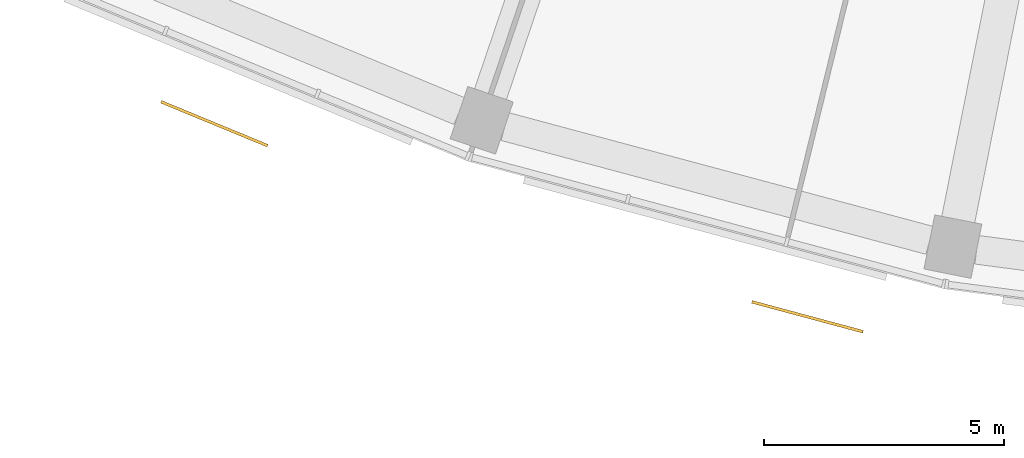
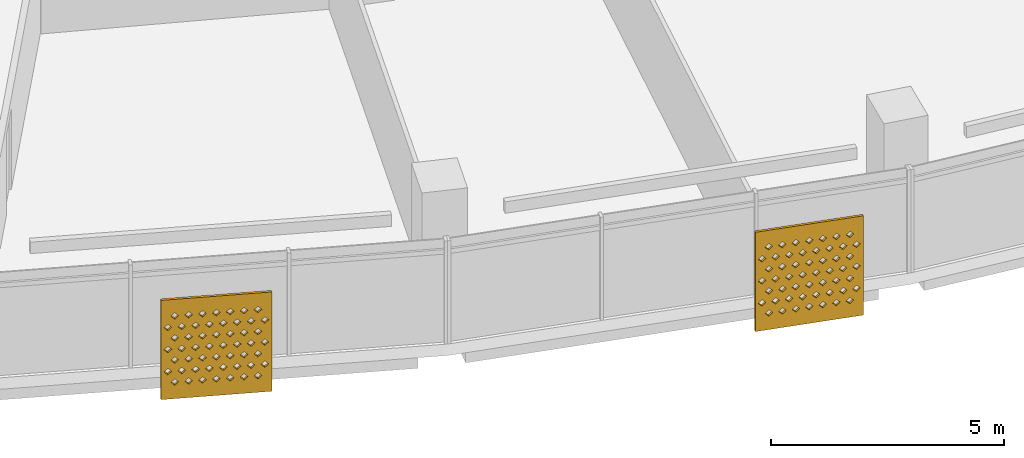
# One storey, part 24 of 28: 2 shading devices.
"""IFC4 building model written with IfcOpenShell, lengths in metres."""

from ifc_helpers import new_model, si_unit, direction, frame, origin, place, context, subcontext, project, spatial, polyline, outline, extrude, material, material_profile, profile_set, type_object, element, save


model = new_model("IFC4")

# Units and contexts
model_context = context("Model", 3, precision=1e-05, world=origin(), true_north=direction((0.0, 1.0)))
body_context = subcontext(model_context, "Body", "Model", "MODEL_VIEW")
ifc_project = project(units=[si_unit("LENGTHUNIT", "METRE"), si_unit("AREAUNIT", "SQUARE_METRE"), si_unit("VOLUMEUNIT", "CUBIC_METRE"), si_unit("PLANEANGLEUNIT", "RADIAN"), si_unit("MASSUNIT", "GRAM", prefix="KILO")], contexts=[model_context])

# Site, building, storey
site_placement = place(None, origin())
site = spatial("IfcSite", under=ifc_project, at=site_placement, CompositionType="ELEMENT")
building_placement = place(site_placement, origin())
building = spatial("IfcBuilding", under=site, at=building_placement, Name="Qamariyya Broadcast Tower", CompositionType="ELEMENT")
storey_placement = place(building_placement, frame((0.0, 0.0, 245.5)))
storey = spatial("IfcBuildingStorey", under=building, at=storey_placement, Name="L59", CompositionType="ELEMENT", Elevation=245.5)

# Shading devices
ifc_material = material(Name="Perforated glazed terracotta", Category="masonry")
ifc_material_profile = material_profile(ifc_material, outline(polyline([(-1.199951171875, -1.300048828125), (1.199951171875, -1.300048828125), (1.199951171875, 1.300048828125), (-1.199951171875, 1.300048828125), (-1.199951171875, -1.300048828125)]), holes=[polyline([(-0.81494140625, -0.86669921875), (-0.89990234375, -0.78173828125), (-0.985107421875, -0.86669921875), (-0.89990234375, -0.95166015625), (-0.81494140625, -0.86669921875)]), polyline([(-0.514892578125, -0.86669921875), (-0.60009765625, -0.78173828125), (-0.68505859375, -0.86669921875), (-0.60009765625, -0.95166015625), (-0.514892578125, -0.86669921875)]), polyline([(-0.215087890625, -0.86669921875), (-0.300048828125, -0.78173828125), (-0.385009765625, -0.86669921875), (-0.300048828125, -0.95166015625), (-0.215087890625, -0.86669921875)]), polyline([(0.0849609375, -0.86669921875), (0.0, -0.78173828125), (-0.0849609375, -0.86669921875), (0.0, -0.95166015625), (0.0849609375, -0.86669921875)]), polyline([(0.385009765625, -0.86669921875), (0.300048828125, -0.78173828125), (0.215087890625, -0.86669921875), (0.300048828125, -0.95166015625), (0.385009765625, -0.86669921875)]), polyline([(0.68505859375, -0.86669921875), (0.60009765625, -0.78173828125), (0.514892578125, -0.86669921875), (0.60009765625, -0.95166015625), (0.68505859375, -0.86669921875)]), polyline([(0.985107421875, -0.86669921875), (0.89990234375, -0.78173828125), (0.81494140625, -0.86669921875), (0.89990234375, -0.95166015625), (0.985107421875, -0.86669921875)]), polyline([(-0.965087890625, -0.577880859375), (-1.050048828125, -0.49267578125), (-1.135009765625, -0.577880859375), (-1.050048828125, -0.662841796875), (-0.965087890625, -0.577880859375)]), polyline([(-0.6650390625, -0.577880859375), (-0.75, -0.49267578125), (-0.8349609375, -0.577880859375), (-0.75, -0.662841796875), (-0.6650390625, -0.577880859375)]), polyline([(-0.364990234375, -0.577880859375), (-0.449951171875, -0.49267578125), (-0.534912109375, -0.577880859375), (-0.449951171875, -0.662841796875), (-0.364990234375, -0.577880859375)]), polyline([(-0.06494140625, -0.577880859375), (-0.14990234375, -0.49267578125), (-0.235107421875, -0.577880859375), (-0.14990234375, -0.662841796875), (-0.06494140625, -0.577880859375)]), polyline([(0.235107421875, -0.577880859375), (0.14990234375, -0.49267578125), (0.06494140625, -0.577880859375), (0.14990234375, -0.662841796875), (0.235107421875, -0.577880859375)]), polyline([(0.534912109375, -0.577880859375), (0.449951171875, -0.49267578125), (0.364990234375, -0.577880859375), (0.449951171875, -0.662841796875), (0.534912109375, -0.577880859375)]), polyline([(0.8349609375, -0.577880859375), (0.75, -0.49267578125), (0.6650390625, -0.577880859375), (0.75, -0.662841796875), (0.8349609375, -0.577880859375)]), polyline([(1.135009765625, -0.577880859375), (1.050048828125, -0.49267578125), (0.965087890625, -0.577880859375), (1.050048828125, -0.662841796875), (1.135009765625, -0.577880859375)]), polyline([(-0.81494140625, -0.288818359375), (-0.89990234375, -0.203857421875), (-0.985107421875, -0.288818359375), (-0.89990234375, -0.373779296875), (-0.81494140625, -0.288818359375)]), polyline([(-0.514892578125, -0.288818359375), (-0.60009765625, -0.203857421875), (-0.68505859375, -0.288818359375), (-0.60009765625, -0.373779296875), (-0.514892578125, -0.288818359375)]), polyline([(-0.215087890625, -0.288818359375), (-0.300048828125, -0.203857421875), (-0.385009765625, -0.288818359375), (-0.300048828125, -0.373779296875), (-0.215087890625, -0.288818359375)]), polyline([(0.0849609375, -0.288818359375), (0.0, -0.203857421875), (-0.0849609375, -0.288818359375), (0.0, -0.373779296875), (0.0849609375, -0.288818359375)]), polyline([(0.385009765625, -0.288818359375), (0.300048828125, -0.203857421875), (0.215087890625, -0.288818359375), (0.300048828125, -0.373779296875), (0.385009765625, -0.288818359375)]), polyline([(0.68505859375, -0.288818359375), (0.60009765625, -0.203857421875), (0.514892578125, -0.288818359375), (0.60009765625, -0.373779296875), (0.68505859375, -0.288818359375)]), polyline([(0.985107421875, -0.288818359375), (0.89990234375, -0.203857421875), (0.81494140625, -0.288818359375), (0.89990234375, -0.373779296875), (0.985107421875, -0.288818359375)]), polyline([(-0.965087890625, 0.0), (-1.050048828125, 0.0849609375), (-1.135009765625, 0.0), (-1.050048828125, -0.0849609375), (-0.965087890625, 0.0)]), polyline([(-0.6650390625, 0.0), (-0.75, 0.0849609375), (-0.8349609375, 0.0), (-0.75, -0.0849609375), (-0.6650390625, 0.0)]), polyline([(-0.364990234375, 0.0), (-0.449951171875, 0.0849609375), (-0.534912109375, 0.0), (-0.449951171875, -0.0849609375), (-0.364990234375, 0.0)]), polyline([(-0.06494140625, 0.0), (-0.14990234375, 0.0849609375), (-0.235107421875, 0.0), (-0.14990234375, -0.0849609375), (-0.06494140625, 0.0)]), polyline([(0.235107421875, 0.0), (0.14990234375, 0.0849609375), (0.06494140625, 0.0), (0.14990234375, -0.0849609375), (0.235107421875, 0.0)]), polyline([(0.534912109375, 0.0), (0.449951171875, 0.0849609375), (0.364990234375, 0.0), (0.449951171875, -0.0849609375), (0.534912109375, 0.0)]), polyline([(0.8349609375, 0.0), (0.75, 0.0849609375), (0.6650390625, 0.0), (0.75, -0.0849609375), (0.8349609375, 0.0)]), polyline([(1.135009765625, 0.0), (1.050048828125, 0.0849609375), (0.965087890625, 0.0), (1.050048828125, -0.0849609375), (1.135009765625, 0.0)]), polyline([(-0.81494140625, 0.288818359375), (-0.89990234375, 0.373779296875), (-0.985107421875, 0.288818359375), (-0.89990234375, 0.203857421875), (-0.81494140625, 0.288818359375)]), polyline([(-0.514892578125, 0.288818359375), (-0.60009765625, 0.373779296875), (-0.68505859375, 0.288818359375), (-0.60009765625, 0.203857421875), (-0.514892578125, 0.288818359375)]), polyline([(-0.215087890625, 0.288818359375), (-0.300048828125, 0.373779296875), (-0.385009765625, 0.288818359375), (-0.300048828125, 0.203857421875), (-0.215087890625, 0.288818359375)]), polyline([(0.0849609375, 0.288818359375), (0.0, 0.373779296875), (-0.0849609375, 0.288818359375), (0.0, 0.203857421875), (0.0849609375, 0.288818359375)]), polyline([(0.385009765625, 0.288818359375), (0.300048828125, 0.373779296875), (0.215087890625, 0.288818359375), (0.300048828125, 0.203857421875), (0.385009765625, 0.288818359375)]), polyline([(0.68505859375, 0.288818359375), (0.60009765625, 0.373779296875), (0.514892578125, 0.288818359375), (0.60009765625, 0.203857421875), (0.68505859375, 0.288818359375)]), polyline([(0.985107421875, 0.288818359375), (0.89990234375, 0.373779296875), (0.81494140625, 0.288818359375), (0.89990234375, 0.203857421875), (0.985107421875, 0.288818359375)]), polyline([(-0.965087890625, 0.577880859375), (-1.050048828125, 0.662841796875), (-1.135009765625, 0.577880859375), (-1.050048828125, 0.49267578125), (-0.965087890625, 0.577880859375)]), polyline([(-0.6650390625, 0.577880859375), (-0.75, 0.662841796875), (-0.8349609375, 0.577880859375), (-0.75, 0.49267578125), (-0.6650390625, 0.577880859375)]), polyline([(-0.364990234375, 0.577880859375), (-0.449951171875, 0.662841796875), (-0.534912109375, 0.577880859375), (-0.449951171875, 0.49267578125), (-0.364990234375, 0.577880859375)]), polyline([(-0.06494140625, 0.577880859375), (-0.14990234375, 0.662841796875), (-0.235107421875, 0.577880859375), (-0.14990234375, 0.49267578125), (-0.06494140625, 0.577880859375)]), polyline([(0.235107421875, 0.577880859375), (0.14990234375, 0.662841796875), (0.06494140625, 0.577880859375), (0.14990234375, 0.49267578125), (0.235107421875, 0.577880859375)]), polyline([(0.534912109375, 0.577880859375), (0.449951171875, 0.662841796875), (0.364990234375, 0.577880859375), (0.449951171875, 0.49267578125), (0.534912109375, 0.577880859375)]), polyline([(0.8349609375, 0.577880859375), (0.75, 0.662841796875), (0.6650390625, 0.577880859375), (0.75, 0.49267578125), (0.8349609375, 0.577880859375)]), polyline([(1.135009765625, 0.577880859375), (1.050048828125, 0.662841796875), (0.965087890625, 0.577880859375), (1.050048828125, 0.49267578125), (1.135009765625, 0.577880859375)]), polyline([(-0.81494140625, 0.86669921875), (-0.89990234375, 0.95166015625), (-0.985107421875, 0.86669921875), (-0.89990234375, 0.78173828125), (-0.81494140625, 0.86669921875)]), polyline([(-0.514892578125, 0.86669921875), (-0.60009765625, 0.95166015625), (-0.68505859375, 0.86669921875), (-0.60009765625, 0.78173828125), (-0.514892578125, 0.86669921875)]), polyline([(-0.215087890625, 0.86669921875), (-0.300048828125, 0.95166015625), (-0.385009765625, 0.86669921875), (-0.300048828125, 0.78173828125), (-0.215087890625, 0.86669921875)]), polyline([(0.0849609375, 0.86669921875), (0.0, 0.95166015625), (-0.0849609375, 0.86669921875), (0.0, 0.78173828125), (0.0849609375, 0.86669921875)]), polyline([(0.385009765625, 0.86669921875), (0.300048828125, 0.95166015625), (0.215087890625, 0.86669921875), (0.300048828125, 0.78173828125), (0.385009765625, 0.86669921875)]), polyline([(0.68505859375, 0.86669921875), (0.60009765625, 0.95166015625), (0.514892578125, 0.86669921875), (0.60009765625, 0.78173828125), (0.68505859375, 0.86669921875)]), polyline([(0.985107421875, 0.86669921875), (0.89990234375, 0.95166015625), (0.81494140625, 0.86669921875), (0.89990234375, 0.78173828125), (0.985107421875, 0.86669921875)])]))
ifc_profile_set = profile_set([ifc_material_profile], Name="Perforated glazed terracotta")
shading_device_type = type_object("IfcShadingDeviceType", Name="Perforated terracotta screen 2400 x 2600", PredefinedType="USERDEFINED", material=ifc_profile_set)
shading_device_1_placement = place(storey_placement, frame((-30.552978515625, -73.6669921875, 1.35009765625), z_axis=(-0.381157654408, -0.924510055373, 0.0), x_axis=(0.924510055373, -0.381157654408, 0.0)))
element("IfcShadingDevice", 1, at=shading_device_1_placement, inside=storey, type_object=shading_device_type, Name="e-scr-L59-05-1", ObjectType="SCREEN", PredefinedType="USERDEFINED", context=body_context, shape_type="SweptSolid", body=[
    extrude(outline(polyline([(-1.199951171875, -1.300048828125), (1.199951171875, -1.300048828125), (1.199951171875, 1.300048828125), (-1.199951171875, 1.300048828125), (-1.199951171875, -1.300048828125)]), holes=[polyline([(-0.81494140625, -0.86669921875), (-0.89990234375, -0.78173828125), (-0.985107421875, -0.86669921875), (-0.89990234375, -0.95166015625), (-0.81494140625, -0.86669921875)]), polyline([(-0.514892578125, -0.86669921875), (-0.60009765625, -0.78173828125), (-0.68505859375, -0.86669921875), (-0.60009765625, -0.95166015625), (-0.514892578125, -0.86669921875)]), polyline([(-0.215087890625, -0.86669921875), (-0.300048828125, -0.78173828125), (-0.385009765625, -0.86669921875), (-0.300048828125, -0.95166015625), (-0.215087890625, -0.86669921875)]), polyline([(0.0849609375, -0.86669921875), (0.0, -0.78173828125), (-0.0849609375, -0.86669921875), (0.0, -0.95166015625), (0.0849609375, -0.86669921875)]), polyline([(0.385009765625, -0.86669921875), (0.300048828125, -0.78173828125), (0.215087890625, -0.86669921875), (0.300048828125, -0.95166015625), (0.385009765625, -0.86669921875)]), polyline([(0.68505859375, -0.86669921875), (0.60009765625, -0.78173828125), (0.514892578125, -0.86669921875), (0.60009765625, -0.95166015625), (0.68505859375, -0.86669921875)]), polyline([(0.985107421875, -0.86669921875), (0.89990234375, -0.78173828125), (0.81494140625, -0.86669921875), (0.89990234375, -0.95166015625), (0.985107421875, -0.86669921875)]), polyline([(-0.965087890625, -0.577880859375), (-1.050048828125, -0.49267578125), (-1.135009765625, -0.577880859375), (-1.050048828125, -0.662841796875), (-0.965087890625, -0.577880859375)]), polyline([(-0.6650390625, -0.577880859375), (-0.75, -0.49267578125), (-0.8349609375, -0.577880859375), (-0.75, -0.662841796875), (-0.6650390625, -0.577880859375)]), polyline([(-0.364990234375, -0.577880859375), (-0.449951171875, -0.49267578125), (-0.534912109375, -0.577880859375), (-0.449951171875, -0.662841796875), (-0.364990234375, -0.577880859375)]), polyline([(-0.06494140625, -0.577880859375), (-0.14990234375, -0.49267578125), (-0.235107421875, -0.577880859375), (-0.14990234375, -0.662841796875), (-0.06494140625, -0.577880859375)]), polyline([(0.235107421875, -0.577880859375), (0.14990234375, -0.49267578125), (0.06494140625, -0.577880859375), (0.14990234375, -0.662841796875), (0.235107421875, -0.577880859375)]), polyline([(0.534912109375, -0.577880859375), (0.449951171875, -0.49267578125), (0.364990234375, -0.577880859375), (0.449951171875, -0.662841796875), (0.534912109375, -0.577880859375)]), polyline([(0.8349609375, -0.577880859375), (0.75, -0.49267578125), (0.6650390625, -0.577880859375), (0.75, -0.662841796875), (0.8349609375, -0.577880859375)]), polyline([(1.135009765625, -0.577880859375), (1.050048828125, -0.49267578125), (0.965087890625, -0.577880859375), (1.050048828125, -0.662841796875), (1.135009765625, -0.577880859375)]), polyline([(-0.81494140625, -0.288818359375), (-0.89990234375, -0.203857421875), (-0.985107421875, -0.288818359375), (-0.89990234375, -0.373779296875), (-0.81494140625, -0.288818359375)]), polyline([(-0.514892578125, -0.288818359375), (-0.60009765625, -0.203857421875), (-0.68505859375, -0.288818359375), (-0.60009765625, -0.373779296875), (-0.514892578125, -0.288818359375)]), polyline([(-0.215087890625, -0.288818359375), (-0.300048828125, -0.203857421875), (-0.385009765625, -0.288818359375), (-0.300048828125, -0.373779296875), (-0.215087890625, -0.288818359375)]), polyline([(0.0849609375, -0.288818359375), (0.0, -0.203857421875), (-0.0849609375, -0.288818359375), (0.0, -0.373779296875), (0.0849609375, -0.288818359375)]), polyline([(0.385009765625, -0.288818359375), (0.300048828125, -0.203857421875), (0.215087890625, -0.288818359375), (0.300048828125, -0.373779296875), (0.385009765625, -0.288818359375)]), polyline([(0.68505859375, -0.288818359375), (0.60009765625, -0.203857421875), (0.514892578125, -0.288818359375), (0.60009765625, -0.373779296875), (0.68505859375, -0.288818359375)]), polyline([(0.985107421875, -0.288818359375), (0.89990234375, -0.203857421875), (0.81494140625, -0.288818359375), (0.89990234375, -0.373779296875), (0.985107421875, -0.288818359375)]), polyline([(-0.965087890625, 0.0), (-1.050048828125, 0.0849609375), (-1.135009765625, 0.0), (-1.050048828125, -0.0849609375), (-0.965087890625, 0.0)]), polyline([(-0.6650390625, 0.0), (-0.75, 0.0849609375), (-0.8349609375, 0.0), (-0.75, -0.0849609375), (-0.6650390625, 0.0)]), polyline([(-0.364990234375, 0.0), (-0.449951171875, 0.0849609375), (-0.534912109375, 0.0), (-0.449951171875, -0.0849609375), (-0.364990234375, 0.0)]), polyline([(-0.06494140625, 0.0), (-0.14990234375, 0.0849609375), (-0.235107421875, 0.0), (-0.14990234375, -0.0849609375), (-0.06494140625, 0.0)]), polyline([(0.235107421875, 0.0), (0.14990234375, 0.0849609375), (0.06494140625, 0.0), (0.14990234375, -0.0849609375), (0.235107421875, 0.0)]), polyline([(0.534912109375, 0.0), (0.449951171875, 0.0849609375), (0.364990234375, 0.0), (0.449951171875, -0.0849609375), (0.534912109375, 0.0)]), polyline([(0.8349609375, 0.0), (0.75, 0.0849609375), (0.6650390625, 0.0), (0.75, -0.0849609375), (0.8349609375, 0.0)]), polyline([(1.135009765625, 0.0), (1.050048828125, 0.0849609375), (0.965087890625, 0.0), (1.050048828125, -0.0849609375), (1.135009765625, 0.0)]), polyline([(-0.81494140625, 0.288818359375), (-0.89990234375, 0.373779296875), (-0.985107421875, 0.288818359375), (-0.89990234375, 0.203857421875), (-0.81494140625, 0.288818359375)]), polyline([(-0.514892578125, 0.288818359375), (-0.60009765625, 0.373779296875), (-0.68505859375, 0.288818359375), (-0.60009765625, 0.203857421875), (-0.514892578125, 0.288818359375)]), polyline([(-0.215087890625, 0.288818359375), (-0.300048828125, 0.373779296875), (-0.385009765625, 0.288818359375), (-0.300048828125, 0.203857421875), (-0.215087890625, 0.288818359375)]), polyline([(0.0849609375, 0.288818359375), (0.0, 0.373779296875), (-0.0849609375, 0.288818359375), (0.0, 0.203857421875), (0.0849609375, 0.288818359375)]), polyline([(0.385009765625, 0.288818359375), (0.300048828125, 0.373779296875), (0.215087890625, 0.288818359375), (0.300048828125, 0.203857421875), (0.385009765625, 0.288818359375)]), polyline([(0.68505859375, 0.288818359375), (0.60009765625, 0.373779296875), (0.514892578125, 0.288818359375), (0.60009765625, 0.203857421875), (0.68505859375, 0.288818359375)]), polyline([(0.985107421875, 0.288818359375), (0.89990234375, 0.373779296875), (0.81494140625, 0.288818359375), (0.89990234375, 0.203857421875), (0.985107421875, 0.288818359375)]), polyline([(-0.965087890625, 0.577880859375), (-1.050048828125, 0.662841796875), (-1.135009765625, 0.577880859375), (-1.050048828125, 0.49267578125), (-0.965087890625, 0.577880859375)]), polyline([(-0.6650390625, 0.577880859375), (-0.75, 0.662841796875), (-0.8349609375, 0.577880859375), (-0.75, 0.49267578125), (-0.6650390625, 0.577880859375)]), polyline([(-0.364990234375, 0.577880859375), (-0.449951171875, 0.662841796875), (-0.534912109375, 0.577880859375), (-0.449951171875, 0.49267578125), (-0.364990234375, 0.577880859375)]), polyline([(-0.06494140625, 0.577880859375), (-0.14990234375, 0.662841796875), (-0.235107421875, 0.577880859375), (-0.14990234375, 0.49267578125), (-0.06494140625, 0.577880859375)]), polyline([(0.235107421875, 0.577880859375), (0.14990234375, 0.662841796875), (0.06494140625, 0.577880859375), (0.14990234375, 0.49267578125), (0.235107421875, 0.577880859375)]), polyline([(0.534912109375, 0.577880859375), (0.449951171875, 0.662841796875), (0.364990234375, 0.577880859375), (0.449951171875, 0.49267578125), (0.534912109375, 0.577880859375)]), polyline([(0.8349609375, 0.577880859375), (0.75, 0.662841796875), (0.6650390625, 0.577880859375), (0.75, 0.49267578125), (0.8349609375, 0.577880859375)]), polyline([(1.135009765625, 0.577880859375), (1.050048828125, 0.662841796875), (0.965087890625, 0.577880859375), (1.050048828125, 0.49267578125), (1.135009765625, 0.577880859375)]), polyline([(-0.81494140625, 0.86669921875), (-0.89990234375, 0.95166015625), (-0.985107421875, 0.86669921875), (-0.89990234375, 0.78173828125), (-0.81494140625, 0.86669921875)]), polyline([(-0.514892578125, 0.86669921875), (-0.60009765625, 0.95166015625), (-0.68505859375, 0.86669921875), (-0.60009765625, 0.78173828125), (-0.514892578125, 0.86669921875)]), polyline([(-0.215087890625, 0.86669921875), (-0.300048828125, 0.95166015625), (-0.385009765625, 0.86669921875), (-0.300048828125, 0.78173828125), (-0.215087890625, 0.86669921875)]), polyline([(0.0849609375, 0.86669921875), (0.0, 0.95166015625), (-0.0849609375, 0.86669921875), (0.0, 0.78173828125), (0.0849609375, 0.86669921875)]), polyline([(0.385009765625, 0.86669921875), (0.300048828125, 0.95166015625), (0.215087890625, 0.86669921875), (0.300048828125, 0.78173828125), (0.385009765625, 0.86669921875)]), polyline([(0.68505859375, 0.86669921875), (0.60009765625, 0.95166015625), (0.514892578125, 0.86669921875), (0.60009765625, 0.78173828125), (0.68505859375, 0.86669921875)]), polyline([(0.985107421875, 0.86669921875), (0.89990234375, 0.95166015625), (0.81494140625, 0.86669921875), (0.89990234375, 0.78173828125), (0.985107421875, 0.86669921875)])]), origin(), (0.0, 0.0, 1.0), 0.060302734375),
])
shading_device_2_placement = place(storey_placement, frame((-18.191650390625, -77.6904296875, 1.35009765625), z_axis=(-0.259682438219, -0.965694067125, 0.0), x_axis=(0.965694067125, -0.259682438219, 0.0)))
element("IfcShadingDevice", 2, at=shading_device_2_placement, inside=storey, type_object=shading_device_type, Name="e-scr-L59-06-2", ObjectType="SCREEN", PredefinedType="USERDEFINED", context=body_context, shape_type="SweptSolid", body=[
    extrude(outline(polyline([(-1.199951171875, -1.300048828125), (1.199951171875, -1.300048828125), (1.199951171875, 1.300048828125), (-1.199951171875, 1.300048828125), (-1.199951171875, -1.300048828125)]), holes=[polyline([(-0.81494140625, -0.86669921875), (-0.89990234375, -0.78173828125), (-0.985107421875, -0.86669921875), (-0.89990234375, -0.95166015625), (-0.81494140625, -0.86669921875)]), polyline([(-0.514892578125, -0.86669921875), (-0.60009765625, -0.78173828125), (-0.68505859375, -0.86669921875), (-0.60009765625, -0.95166015625), (-0.514892578125, -0.86669921875)]), polyline([(-0.215087890625, -0.86669921875), (-0.300048828125, -0.78173828125), (-0.385009765625, -0.86669921875), (-0.300048828125, -0.95166015625), (-0.215087890625, -0.86669921875)]), polyline([(0.0849609375, -0.86669921875), (0.0, -0.78173828125), (-0.0849609375, -0.86669921875), (0.0, -0.95166015625), (0.0849609375, -0.86669921875)]), polyline([(0.385009765625, -0.86669921875), (0.300048828125, -0.78173828125), (0.215087890625, -0.86669921875), (0.300048828125, -0.95166015625), (0.385009765625, -0.86669921875)]), polyline([(0.68505859375, -0.86669921875), (0.60009765625, -0.78173828125), (0.514892578125, -0.86669921875), (0.60009765625, -0.95166015625), (0.68505859375, -0.86669921875)]), polyline([(0.985107421875, -0.86669921875), (0.89990234375, -0.78173828125), (0.81494140625, -0.86669921875), (0.89990234375, -0.95166015625), (0.985107421875, -0.86669921875)]), polyline([(-0.965087890625, -0.577880859375), (-1.050048828125, -0.49267578125), (-1.135009765625, -0.577880859375), (-1.050048828125, -0.662841796875), (-0.965087890625, -0.577880859375)]), polyline([(-0.6650390625, -0.577880859375), (-0.75, -0.49267578125), (-0.8349609375, -0.577880859375), (-0.75, -0.662841796875), (-0.6650390625, -0.577880859375)]), polyline([(-0.364990234375, -0.577880859375), (-0.449951171875, -0.49267578125), (-0.534912109375, -0.577880859375), (-0.449951171875, -0.662841796875), (-0.364990234375, -0.577880859375)]), polyline([(-0.06494140625, -0.577880859375), (-0.14990234375, -0.49267578125), (-0.235107421875, -0.577880859375), (-0.14990234375, -0.662841796875), (-0.06494140625, -0.577880859375)]), polyline([(0.235107421875, -0.577880859375), (0.14990234375, -0.49267578125), (0.06494140625, -0.577880859375), (0.14990234375, -0.662841796875), (0.235107421875, -0.577880859375)]), polyline([(0.534912109375, -0.577880859375), (0.449951171875, -0.49267578125), (0.364990234375, -0.577880859375), (0.449951171875, -0.662841796875), (0.534912109375, -0.577880859375)]), polyline([(0.8349609375, -0.577880859375), (0.75, -0.49267578125), (0.6650390625, -0.577880859375), (0.75, -0.662841796875), (0.8349609375, -0.577880859375)]), polyline([(1.135009765625, -0.577880859375), (1.050048828125, -0.49267578125), (0.965087890625, -0.577880859375), (1.050048828125, -0.662841796875), (1.135009765625, -0.577880859375)]), polyline([(-0.81494140625, -0.288818359375), (-0.89990234375, -0.203857421875), (-0.985107421875, -0.288818359375), (-0.89990234375, -0.373779296875), (-0.81494140625, -0.288818359375)]), polyline([(-0.514892578125, -0.288818359375), (-0.60009765625, -0.203857421875), (-0.68505859375, -0.288818359375), (-0.60009765625, -0.373779296875), (-0.514892578125, -0.288818359375)]), polyline([(-0.215087890625, -0.288818359375), (-0.300048828125, -0.203857421875), (-0.385009765625, -0.288818359375), (-0.300048828125, -0.373779296875), (-0.215087890625, -0.288818359375)]), polyline([(0.0849609375, -0.288818359375), (0.0, -0.203857421875), (-0.0849609375, -0.288818359375), (0.0, -0.373779296875), (0.0849609375, -0.288818359375)]), polyline([(0.385009765625, -0.288818359375), (0.300048828125, -0.203857421875), (0.215087890625, -0.288818359375), (0.300048828125, -0.373779296875), (0.385009765625, -0.288818359375)]), polyline([(0.68505859375, -0.288818359375), (0.60009765625, -0.203857421875), (0.514892578125, -0.288818359375), (0.60009765625, -0.373779296875), (0.68505859375, -0.288818359375)]), polyline([(0.985107421875, -0.288818359375), (0.89990234375, -0.203857421875), (0.81494140625, -0.288818359375), (0.89990234375, -0.373779296875), (0.985107421875, -0.288818359375)]), polyline([(-0.965087890625, 0.0), (-1.050048828125, 0.0849609375), (-1.135009765625, 0.0), (-1.050048828125, -0.0849609375), (-0.965087890625, 0.0)]), polyline([(-0.6650390625, 0.0), (-0.75, 0.0849609375), (-0.8349609375, 0.0), (-0.75, -0.0849609375), (-0.6650390625, 0.0)]), polyline([(-0.364990234375, 0.0), (-0.449951171875, 0.0849609375), (-0.534912109375, 0.0), (-0.449951171875, -0.0849609375), (-0.364990234375, 0.0)]), polyline([(-0.06494140625, 0.0), (-0.14990234375, 0.0849609375), (-0.235107421875, 0.0), (-0.14990234375, -0.0849609375), (-0.06494140625, 0.0)]), polyline([(0.235107421875, 0.0), (0.14990234375, 0.0849609375), (0.06494140625, 0.0), (0.14990234375, -0.0849609375), (0.235107421875, 0.0)]), polyline([(0.534912109375, 0.0), (0.449951171875, 0.0849609375), (0.364990234375, 0.0), (0.449951171875, -0.0849609375), (0.534912109375, 0.0)]), polyline([(0.8349609375, 0.0), (0.75, 0.0849609375), (0.6650390625, 0.0), (0.75, -0.0849609375), (0.8349609375, 0.0)]), polyline([(1.135009765625, 0.0), (1.050048828125, 0.0849609375), (0.965087890625, 0.0), (1.050048828125, -0.0849609375), (1.135009765625, 0.0)]), polyline([(-0.81494140625, 0.288818359375), (-0.89990234375, 0.373779296875), (-0.985107421875, 0.288818359375), (-0.89990234375, 0.203857421875), (-0.81494140625, 0.288818359375)]), polyline([(-0.514892578125, 0.288818359375), (-0.60009765625, 0.373779296875), (-0.68505859375, 0.288818359375), (-0.60009765625, 0.203857421875), (-0.514892578125, 0.288818359375)]), polyline([(-0.215087890625, 0.288818359375), (-0.300048828125, 0.373779296875), (-0.385009765625, 0.288818359375), (-0.300048828125, 0.203857421875), (-0.215087890625, 0.288818359375)]), polyline([(0.0849609375, 0.288818359375), (0.0, 0.373779296875), (-0.0849609375, 0.288818359375), (0.0, 0.203857421875), (0.0849609375, 0.288818359375)]), polyline([(0.385009765625, 0.288818359375), (0.300048828125, 0.373779296875), (0.215087890625, 0.288818359375), (0.300048828125, 0.203857421875), (0.385009765625, 0.288818359375)]), polyline([(0.68505859375, 0.288818359375), (0.60009765625, 0.373779296875), (0.514892578125, 0.288818359375), (0.60009765625, 0.203857421875), (0.68505859375, 0.288818359375)]), polyline([(0.985107421875, 0.288818359375), (0.89990234375, 0.373779296875), (0.81494140625, 0.288818359375), (0.89990234375, 0.203857421875), (0.985107421875, 0.288818359375)]), polyline([(-0.965087890625, 0.577880859375), (-1.050048828125, 0.662841796875), (-1.135009765625, 0.577880859375), (-1.050048828125, 0.49267578125), (-0.965087890625, 0.577880859375)]), polyline([(-0.6650390625, 0.577880859375), (-0.75, 0.662841796875), (-0.8349609375, 0.577880859375), (-0.75, 0.49267578125), (-0.6650390625, 0.577880859375)]), polyline([(-0.364990234375, 0.577880859375), (-0.449951171875, 0.662841796875), (-0.534912109375, 0.577880859375), (-0.449951171875, 0.49267578125), (-0.364990234375, 0.577880859375)]), polyline([(-0.06494140625, 0.577880859375), (-0.14990234375, 0.662841796875), (-0.235107421875, 0.577880859375), (-0.14990234375, 0.49267578125), (-0.06494140625, 0.577880859375)]), polyline([(0.235107421875, 0.577880859375), (0.14990234375, 0.662841796875), (0.06494140625, 0.577880859375), (0.14990234375, 0.49267578125), (0.235107421875, 0.577880859375)]), polyline([(0.534912109375, 0.577880859375), (0.449951171875, 0.662841796875), (0.364990234375, 0.577880859375), (0.449951171875, 0.49267578125), (0.534912109375, 0.577880859375)]), polyline([(0.8349609375, 0.577880859375), (0.75, 0.662841796875), (0.6650390625, 0.577880859375), (0.75, 0.49267578125), (0.8349609375, 0.577880859375)]), polyline([(1.135009765625, 0.577880859375), (1.050048828125, 0.662841796875), (0.965087890625, 0.577880859375), (1.050048828125, 0.49267578125), (1.135009765625, 0.577880859375)]), polyline([(-0.81494140625, 0.86669921875), (-0.89990234375, 0.95166015625), (-0.985107421875, 0.86669921875), (-0.89990234375, 0.78173828125), (-0.81494140625, 0.86669921875)]), polyline([(-0.514892578125, 0.86669921875), (-0.60009765625, 0.95166015625), (-0.68505859375, 0.86669921875), (-0.60009765625, 0.78173828125), (-0.514892578125, 0.86669921875)]), polyline([(-0.215087890625, 0.86669921875), (-0.300048828125, 0.95166015625), (-0.385009765625, 0.86669921875), (-0.300048828125, 0.78173828125), (-0.215087890625, 0.86669921875)]), polyline([(0.0849609375, 0.86669921875), (0.0, 0.95166015625), (-0.0849609375, 0.86669921875), (0.0, 0.78173828125), (0.0849609375, 0.86669921875)]), polyline([(0.385009765625, 0.86669921875), (0.300048828125, 0.95166015625), (0.215087890625, 0.86669921875), (0.300048828125, 0.78173828125), (0.385009765625, 0.86669921875)]), polyline([(0.68505859375, 0.86669921875), (0.60009765625, 0.95166015625), (0.514892578125, 0.86669921875), (0.60009765625, 0.78173828125), (0.68505859375, 0.86669921875)]), polyline([(0.985107421875, 0.86669921875), (0.89990234375, 0.95166015625), (0.81494140625, 0.86669921875), (0.89990234375, 0.78173828125), (0.985107421875, 0.86669921875)])]), origin(), (0.0, 0.0, 1.0), 0.06005859375),
])

save(model, "model.ifc")
